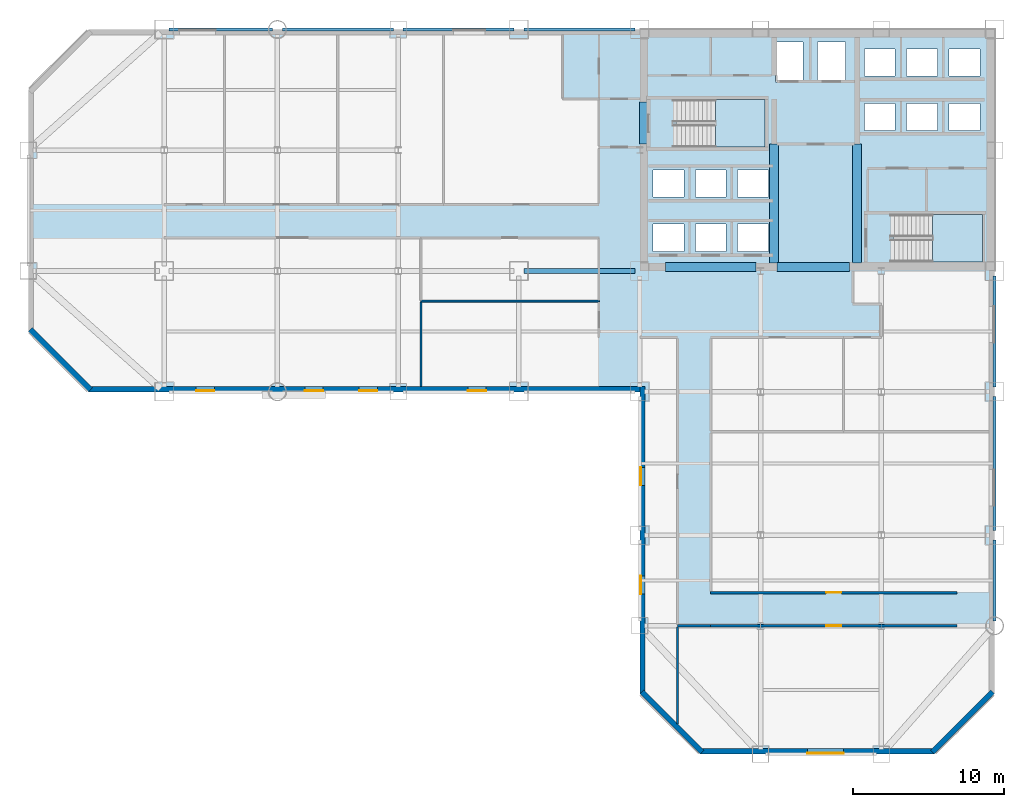
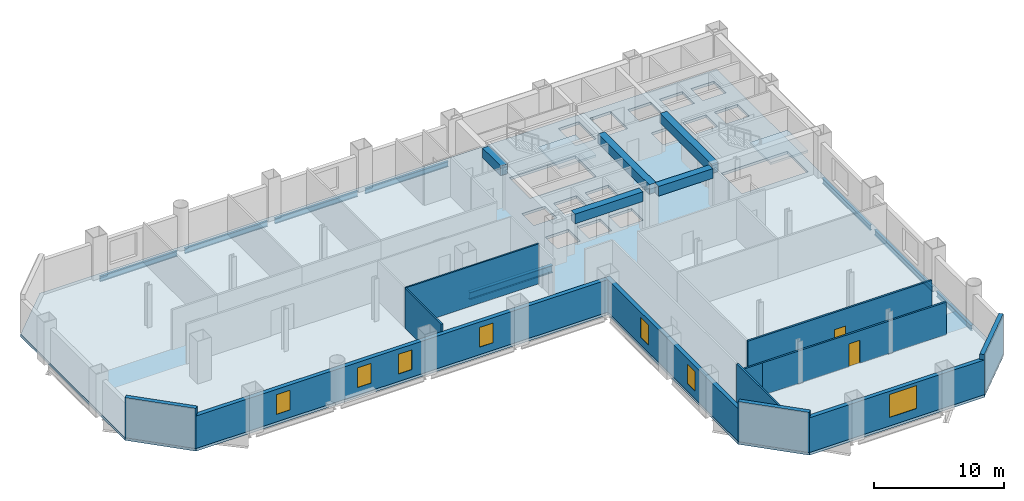
# One storey, part 4 of 9: 13 beams, 12 walls, 7 windows, 3 slabs, 2 doors, 9 openings, 2 elements without a shape of their own.
"""IFC4 building model written with IfcOpenShell, lengths in metres."""

from ifc_helpers import new_model, si_unit, direction, frame, frame_2d, origin, origin_2d, place, context, subcontext, project, spatial, polyline, rectangle, i_section, outline, extrude, material, layer, layer_set, material_profile, profile_set, type_object, element, fill, aggregate, save


model = new_model("IFC4")

# Units and contexts
model_context = context("Model", 3, precision=1e-05, world=origin(), true_north=direction((0.0, 1.0)))
body_context = subcontext(model_context, "Body", "Model", "MODEL_VIEW")
ifc_project = project(units=[si_unit("LENGTHUNIT", "METRE"), si_unit("AREAUNIT", "SQUARE_METRE"), si_unit("VOLUMEUNIT", "CUBIC_METRE"), si_unit("PLANEANGLEUNIT", "RADIAN"), si_unit("MASSUNIT", "GRAM", prefix="KILO")], contexts=[model_context])

# Site, building, storey
site_placement = place(None, origin())
site = spatial("IfcSite", under=ifc_project, at=site_placement, CompositionType="ELEMENT")
building_placement = place(site_placement, origin())
building = spatial("IfcBuilding", under=site, at=building_placement, Name="Qianrong Seaharbour Tower", CompositionType="ELEMENT")
storey_placement = place(building_placement, frame((0.0, 0.0, 84.199951171875)))
storey = spatial("IfcBuildingStorey", under=building, at=storey_placement, Name="L20", CompositionType="ELEMENT", Elevation=84.199951171875)

# Beams
ifc_material_1 = material(Name="Structural steel SN490B", Category="steel")
ifc_material_profile_1 = material_profile(ifc_material_1, i_section(OverallWidth=0.300048828125, OverallDepth=0.699951171875, WebThickness=0.012939453125, FlangeThickness=0.02392578125, FilletRadius=0.02587890625, at=origin_2d()), Name="H700x300x13x24")
ifc_profile_set_1 = profile_set([ifc_material_profile_1], Name="Structural steel SN490B")
beam_type_1 = type_object("IfcBeamType", Name="BM-G-700", PredefinedType="BEAM", material=ifc_profile_set_1)
beam_1_placement = place(storey_placement, frame((32.820068359375, 36.0, -0.599853515625), z_axis=(1.0, 0.0, 0.0), x_axis=(0.0, 1.0, 0.0)))
element("IfcBeam", 1, at=beam_1_placement, inside=storey, type_object=beam_type_1, Name="L20 Primary Girder GF G5-G6", PredefinedType="BEAM", context=body_context, shape_type="SweptSolid", body=[
    extrude(i_section(OverallWidth=0.300048828125, OverallDepth=0.699951171875, WebThickness=0.012939453125, FlangeThickness=0.02392578125, FilletRadius=0.02587890625, at=origin_2d()), origin(), (0.0, 0.0, 1.0), 7.35986328125),
])
ifc_material_2 = material(Name="Concrete C70/85", Category="concrete")
ifc_material_profile_2 = material_profile(ifc_material_2, rectangle(XDim=0.60009765625, YDim=0.89990234375, at=origin_2d()), Name="RC600x900")
ifc_profile_set_2 = profile_set([ifc_material_profile_2], Name="Concrete C70/85")
beam_type_2 = type_object("IfcBeamType", Name="BM-LINTEL-900", PredefinedType="LINTEL", material=ifc_profile_set_2)
beam_2_placement = place(storey_placement, frame((40.77001953125, 44.39990234375, 3.300048828125), z_axis=(0.0, 1.0, 0.0), x_axis=(-1.0, 0.0, 0.0)))
element("IfcBeam", 2, at=beam_2_placement, inside=storey, type_object=beam_type_2, Name="L20 Core Coupling Lintel Beam West", PredefinedType="LINTEL", context=body_context, shape_type="SweptSolid", body=[
    extrude(rectangle(XDim=0.60009765625, YDim=0.89990234375, at=origin_2d()), origin(), (0.0, 0.0, 1.0), 2.800048828125),
])
beam_3_placement = place(storey_placement, frame((42.199951171875, 36.27001953125, 3.300048828125), z_axis=(1.0, 0.0, 0.0), x_axis=(0.0, 1.0, 0.0)))
element("IfcBeam", 3, at=beam_3_placement, inside=storey, type_object=beam_type_2, Name="L20 Core Coupling Lintel Beam CBW", PredefinedType="LINTEL", context=body_context, shape_type="SweptSolid", body=[
    extrude(rectangle(XDim=0.60009765625, YDim=0.89990234375, at=origin_2d()), origin(), (0.0, 0.0, 1.0), 6.0),
])
beam_4_placement = place(storey_placement, frame((49.60009765625, 36.27001953125, 3.300048828125), z_axis=(1.0, 0.0, 0.0), x_axis=(0.0, 1.0, 0.0)))
element("IfcBeam", 4, at=beam_4_placement, inside=storey, type_object=beam_type_2, Name="L20 Core Coupling Lintel Beam CBC", PredefinedType="LINTEL", context=body_context, shape_type="SweptSolid", body=[
    extrude(rectangle(XDim=0.60009765625, YDim=0.89990234375, at=origin_2d()), origin(), (0.0, 0.0, 1.0), 4.7998046875),
])
for number, where, z_axis, x_axis, name in (
    (5, (49.39990234375, 36.5400390625, 3.300048828125), (0.0, 1.0, 0.0), (-1.0, 0.0, 0.0), "L20 Internal Core Coupling Beam IW1"),
    (6, (54.89990234375, 36.5400390625, 3.300048828125), (0.0, 1.0, 0.0), (-1.0, 0.0, 0.0), "L20 Internal Core Coupling Beam IW2"),
):
    element("IfcBeam", number, at=place(storey_placement, frame(where, z_axis=z_axis, x_axis=x_axis)), inside=storey, type_object=beam_type_2, Name=name, PredefinedType="LINTEL", context=body_context, shape_type="SweptSolid", body=[
        extrude(rectangle(XDim=0.60009765625, YDim=0.89990234375, at=origin_2d()), origin(), (0.0, 0.0, 1.0), 7.85986328125),
    ])
ifc_material_profile_3 = material_profile(ifc_material_1, i_section(OverallWidth=0.199951171875, OverallDepth=0.5, WebThickness=0.010009765625, FlangeThickness=0.01611328125, FilletRadius=0.02001953125, at=origin_2d()), Name="H500x200x10x16")
ifc_profile_set_3 = profile_set([ifc_material_profile_3], Name="Structural steel SN490B")
beam_type_3 = type_object("IfcBeamType", Name="BM-SP-500", PredefinedType="SPANDREL", material=ifc_profile_set_3)
beam_5_placement = place(storey_placement, frame((9.320068359375, 52.0, -0.5), z_axis=(1.0, 0.0, 0.0), x_axis=(0.0, 1.0, 0.0)))
element("IfcBeam", 7, at=beam_5_placement, inside=storey, type_object=beam_type_3, Name="L20 Spandrel Girder GH G2-G3", PredefinedType="SPANDREL", context=body_context, shape_type="SweptSolid", body=[
    extrude(i_section(OverallWidth=0.199951171875, OverallDepth=0.5, WebThickness=0.010009765625, FlangeThickness=0.01611328125, FilletRadius=0.02001953125, at=origin_2d()), origin(), (0.0, 0.0, 1.0), 6.85986328125),
])
for number, where, z_axis, x_axis, name in (
    (8, (16.820068359375, 52.0, -0.5), (1.0, 0.0, 0.0), (0.0, 1.0, 0.0), "L20 Spandrel Girder GH G3-G4"),
    (9, (24.820068359375, 52.0, -0.5), (1.0, 0.0, 0.0), (0.0, 1.0, 0.0), "L20 Spandrel Girder GH G4-G5"),
    (10, (32.820068359375, 52.0, -0.5), (1.0, 0.0, 0.0), (0.0, 1.0, 0.0), "L20 Spandrel Girder GH G5-G6"),
):
    element("IfcBeam", number, at=place(storey_placement, frame(where, z_axis=z_axis, x_axis=x_axis)), inside=storey, type_object=beam_type_3, Name=name, PredefinedType="SPANDREL", context=body_context, shape_type="SweptSolid", body=[
        extrude(i_section(OverallWidth=0.199951171875, OverallDepth=0.5, WebThickness=0.010009765625, FlangeThickness=0.01611328125, FilletRadius=0.02001953125, at=origin_2d()), origin(), (0.0, 0.0, 1.0), 7.35986328125),
    ])
beam_6_placement = place(storey_placement, frame((64.0, 12.820068359375, -0.5), z_axis=(0.0, 1.0, 0.0), x_axis=(-1.0, 0.0, 0.0)))
element("IfcBeam", 11, at=beam_6_placement, inside=storey, type_object=beam_type_3, Name="L20 Spandrel Girder G9 GC-GD", PredefinedType="SPANDREL", context=body_context, shape_type="SweptSolid", body=[
    extrude(i_section(OverallWidth=0.199951171875, OverallDepth=0.5, WebThickness=0.010009765625, FlangeThickness=0.01611328125, FilletRadius=0.02001953125, at=origin_2d()), origin(), (0.0, 0.0, 1.0), 5.35986328125),
])
beam_7_placement = place(storey_placement, frame((64.0, 18.820068359375, -0.5), z_axis=(0.0, 1.0, 0.0), x_axis=(-1.0, 0.0, 0.0)))
element("IfcBeam", 12, at=beam_7_placement, inside=storey, type_object=beam_type_3, Name="L20 Spandrel Girder G9 GD-GE", PredefinedType="SPANDREL", context=body_context, shape_type="SweptSolid", body=[
    extrude(i_section(OverallWidth=0.199951171875, OverallDepth=0.5, WebThickness=0.010009765625, FlangeThickness=0.01611328125, FilletRadius=0.02001953125, at=origin_2d()), origin(), (0.0, 0.0, 1.0), 8.85986328125),
])
beam_8_placement = place(storey_placement, frame((64.0, 28.320068359375, -0.5), z_axis=(0.0, 1.0, 0.0), x_axis=(-1.0, 0.0, 0.0)))
element("IfcBeam", 13, at=beam_8_placement, inside=storey, type_object=beam_type_3, Name="L20 Spandrel Girder G9 GE-GF", PredefinedType="SPANDREL", context=body_context, shape_type="SweptSolid", body=[
    extrude(i_section(OverallWidth=0.199951171875, OverallDepth=0.5, WebThickness=0.010009765625, FlangeThickness=0.01611328125, FilletRadius=0.02001953125, at=origin_2d()), origin(), (0.0, 0.0, 1.0), 7.35986328125),
])

# Stair, slab
ifc_material_3 = material(Name="Concrete C50/60", Category="concrete")
stair_type = type_object("IfcStairType", Name="STAIR-DOGLEG-1500-R22", PredefinedType="HALF_TURN_STAIR", material=ifc_material_3)
stair_1_placement = place(storey_placement, origin())
stair_1 = element("IfcStair", 14, at=stair_1_placement, inside=storey, type_object=stair_type, Name="L20 Protected Escape Stair ST-1", PredefinedType="HALF_TURN_STAIR")
ifc_layer_1 = layer(ifc_material_3, 0.199951171875)
ifc_layer_set_1 = layer_set([ifc_layer_1], Name="Concrete C50/60")
slab_type_1 = type_object("IfcSlabType", Name="SLAB-STAIR-LANDING-200", PredefinedType="LANDING", material=ifc_layer_set_1)
slab_1_placement = place(storey_placement, frame((0.0, 0.0, 1.800048828125)))
slab_1 = element("IfcSlab", 15, at=slab_1_placement, type_object=slab_type_1, Name="ST-1 landing 1", PredefinedType="LANDING", context=body_context, shape_type="SweptSolid", body=[
    extrude(outline(polyline([(45.5, 44.199951171875), (48.800048828125, 44.199951171875), (48.800048828125, 47.35009765625), (45.5, 47.35009765625), (45.5, 44.199951171875)])), origin(), (0.0, 0.0, 1.0), 0.199951171875),
])
aggregate(stair_1, [slab_1])

stair_2_placement = place(storey_placement, origin())
stair_2 = element("IfcStair", 16, at=stair_2_placement, inside=storey, type_object=stair_type, Name="L20 Protected Escape Stair ST-2", PredefinedType="HALF_TURN_STAIR")
slab_2_placement = place(storey_placement, frame((0.0, 0.0, 1.800048828125)))
slab_2 = element("IfcSlab", 17, at=slab_2_placement, type_object=slab_type_1, Name="ST-2 landing 1", PredefinedType="LANDING", context=body_context, shape_type="SweptSolid", body=[
    extrude(outline(polyline([(59.89990234375, 36.60009765625), (63.199951171875, 36.60009765625), (63.199951171875, 39.75), (59.89990234375, 39.75), (59.89990234375, 36.60009765625)])), origin(), (0.0, 0.0, 1.0), 0.199951171875),
])
aggregate(stair_2, [slab_2])

# Slab
ifc_layer_2 = layer(ifc_material_3, 0.25)
ifc_layer_set_2 = layer_set([ifc_layer_2], Name="Concrete C50/60")
slab_type_2 = type_object("IfcSlabType", Name="SLAB-Z1-250", PredefinedType="FLOOR", material=ifc_layer_set_2)
slab_3_placement = place(storey_placement, frame((0.0, 0.0, -0.25)))
element("IfcSlab", 18, at=slab_3_placement, inside=storey, type_object=slab_type_2, Name="L20 Structural Floor Slab", PredefinedType="FLOOR", context=body_context, shape_type="SweptSolid", body=[
    extrude(outline(polyline([(44.5, 4.0), (60.0, 4.0), (64.0, 8.0), (64.0, 52.0), (4.0, 52.0), (0.0, 48.0), (0.0, 32.0), (4.0, 28.0), (40.5, 28.0), (40.5, 8.0), (44.5, 4.0)]), holes=[polyline([(42.93994140625, 44.199951171875), (42.93994140625, 47.35009765625), (48.800048828125, 47.35009765625), (48.800048828125, 44.199951171875), (42.93994140625, 44.199951171875)]), polyline([(57.340087890625, 36.60009765625), (57.340087890625, 39.75), (63.199951171875, 39.75), (63.199951171875, 36.60009765625), (57.340087890625, 36.60009765625)]), polyline([(49.47998046875, 48.530029296875), (49.47998046875, 51.169921875), (51.320068359375, 51.169921875), (51.320068359375, 48.530029296875), (49.47998046875, 48.530029296875)]), polyline([(52.280029296875, 48.530029296875), (52.280029296875, 51.169921875), (54.1201171875, 51.169921875), (54.1201171875, 48.530029296875), (52.280029296875, 48.530029296875)]), polyline([(41.3798828125, 37.300048828125), (41.3798828125, 39.10009765625), (43.419921875, 39.10009765625), (43.419921875, 37.300048828125), (41.3798828125, 37.300048828125)]), polyline([(44.179931640625, 37.300048828125), (44.179931640625, 39.10009765625), (46.219970703125, 39.10009765625), (46.219970703125, 37.300048828125), (44.179931640625, 37.300048828125)]), polyline([(46.97998046875, 37.300048828125), (46.97998046875, 39.10009765625), (49.02001953125, 39.10009765625), (49.02001953125, 37.300048828125), (46.97998046875, 37.300048828125)]), polyline([(41.3798828125, 40.89990234375), (41.3798828125, 42.699951171875), (43.419921875, 42.699951171875), (43.419921875, 40.89990234375), (41.3798828125, 40.89990234375)]), polyline([(44.179931640625, 40.89990234375), (44.179931640625, 42.699951171875), (46.219970703125, 42.699951171875), (46.219970703125, 40.89990234375), (44.179931640625, 40.89990234375)]), polyline([(46.97998046875, 40.89990234375), (46.97998046875, 42.699951171875), (49.02001953125, 42.699951171875), (49.02001953125, 40.89990234375), (46.97998046875, 40.89990234375)]), polyline([(55.3798828125, 45.300048828125), (55.3798828125, 47.10009765625), (57.419921875, 47.10009765625), (57.419921875, 45.300048828125), (55.3798828125, 45.300048828125)]), polyline([(58.179931640625, 45.300048828125), (58.179931640625, 47.10009765625), (60.219970703125, 47.10009765625), (60.219970703125, 45.300048828125), (58.179931640625, 45.300048828125)]), polyline([(60.97998046875, 45.300048828125), (60.97998046875, 47.10009765625), (63.02001953125, 47.10009765625), (63.02001953125, 45.300048828125), (60.97998046875, 45.300048828125)]), polyline([(55.3798828125, 48.89990234375), (55.3798828125, 50.699951171875), (57.419921875, 50.699951171875), (57.419921875, 48.89990234375), (55.3798828125, 48.89990234375)]), polyline([(58.179931640625, 48.89990234375), (58.179931640625, 50.699951171875), (60.219970703125, 50.699951171875), (60.219970703125, 48.89990234375), (58.179931640625, 48.89990234375)]), polyline([(60.97998046875, 48.89990234375), (60.97998046875, 50.699951171875), (63.02001953125, 50.699951171875), (63.02001953125, 48.89990234375), (60.97998046875, 48.89990234375)])]), origin(), (0.0, 0.0, 1.0), 0.25),
])

# Wall
ifc_material_4 = material(Name="Fire-rated acoustic gypsum board partition")
ifc_layer_3 = layer(ifc_material_4, 0.1650390625)
ifc_layer_set_3 = layer_set([ifc_layer_3], Name="Fire-rated acoustic gypsum board partition")
wall_type_1 = type_object("IfcWallType", Name="WALL-CORR-PART-165", PredefinedType="PARTITIONING", material=ifc_layer_set_3)
wall_1_placement = place(storey_placement, frame((45.199951171875, 12.5, 0.0), z_axis=(0.0, 0.0, 1.0), x_axis=(-1.0, 0.0, 0.0)))
element("IfcWall", 19, at=wall_1_placement, inside=storey, type_object=wall_type_1, Name="L20 Interior Partition Wall 030", PredefinedType="PARTITIONING", context=body_context, shape_type="SweptSolid", body=[
    extrude(rectangle(XDim=2.199951171875, YDim=0.1650390625, at=frame_2d((1.10009765625, 0.0))), origin(), (0.0, 0.0, 1.0), 3.0419921875),
])

# Wall, opening, door
wall_2_placement = place(storey_placement, frame((61.5, 12.5, 0.0), z_axis=(0.0, 0.0, 1.0), x_axis=(-1.0, 0.0, 0.0)))
wall_2 = element("IfcWall", 20, at=wall_2_placement, inside=storey, type_object=wall_type_1, Name="L20 Interior Partition Wall 034", PredefinedType="PARTITIONING", context=body_context, shape_type="SweptSolid", body=[
    extrude(rectangle(XDim=16.300048828125, YDim=0.1650390625, at=frame_2d((8.14990234375, 0.0))), origin(), (0.0, 0.0, 1.0), 3.0419921875),
])
opening_1_placement = place(wall_2_placement, frame((7.64990234375, 0.0, 0.0)))
opening_1 = element("IfcOpeningElement", 21, at=opening_1_placement, cuts=wall_2, Name="Opening DO-01", PredefinedType="OPENING", context=body_context, shape_type="SweptSolid", body=[
    extrude(rectangle(XDim=1.0, YDim=2.14990234375, at=frame_2d((0.5, 1.074951171875))), frame((0.0, 0.092529296875, 0.0), z_axis=(0.0, -1.0, 0.0), x_axis=(1.0, 0.0, 0.0)), (0.0, 0.0, 1.0), 0.18505859375),
])
ifc_material_5 = material(Name="Acoustic timber and galvanized steel fire door assembly", Category="steel")
door_type = type_object("IfcDoorType", Name="DOOR-OFFICE-1000x2150", OperationType="NOTDEFINED", PredefinedType="DOOR", material=ifc_material_5)
door_1_placement = place(opening_1_placement, origin())
door_1 = element("IfcDoor", 22, at=door_1_placement, inside=storey, type_object=door_type, Name="L20 South Tip Open-Plan Office Door", OperationType="SINGLE_SWING_RIGHT", OverallHeight=2.14990234375, OverallWidth=1.0, PredefinedType="DOOR", context=body_context, shape_type="SweptSolid", body=[
    extrude(rectangle(XDim=1.0, YDim=2.14990234375, at=frame_2d((0.5, 1.074951171875))), frame((0.0, 0.02490234375, 0.0), z_axis=(0.0, -1.0, 0.0), x_axis=(1.0, 0.0, 0.0)), (0.0, 0.0, 1.0), 0.050048828125),
])
fill(opening_1, door_1)

wall_3_placement = place(storey_placement, frame((45.199951171875, 14.699951171875, 0.0), z_axis=(0.0, 0.0, 1.0), x_axis=(1.0, 0.0, 0.0)))
wall_3 = element("IfcWall", 23, at=wall_3_placement, inside=storey, type_object=wall_type_1, Name="L20 Interior Partition Wall 035", PredefinedType="PARTITIONING", context=body_context, shape_type="SweptSolid", body=[
    extrude(rectangle(XDim=16.300048828125, YDim=0.1650390625, at=frame_2d((8.14990234375, 0.0))), origin(), (0.0, 0.0, 1.0), 3.75),
])
opening_2_placement = place(wall_3_placement, frame((7.64990234375, 0.0, 0.0)))
opening_2 = element("IfcOpeningElement", 24, at=opening_2_placement, cuts=wall_3, Name="Opening DO-01", PredefinedType="OPENING", context=body_context, shape_type="SweptSolid", body=[
    extrude(rectangle(XDim=1.0, YDim=2.14990234375, at=frame_2d((0.5, 1.074951171875))), frame((0.0, 0.092529296875, 0.0), z_axis=(0.0, -1.0, 0.0), x_axis=(1.0, 0.0, 0.0)), (0.0, 0.0, 1.0), 0.18505859375),
])
door_2_placement = place(opening_2_placement, origin())
door_2 = element("IfcDoor", 25, at=door_2_placement, inside=storey, type_object=door_type, Name="L20 Operations Open-Plan Office Door", OperationType="SINGLE_SWING_LEFT", OverallHeight=2.14990234375, OverallWidth=1.0, PredefinedType="DOOR", context=body_context, shape_type="SweptSolid", body=[
    extrude(rectangle(XDim=1.0, YDim=2.14990234375, at=frame_2d((0.5, 1.074951171875))), frame((0.0, 0.02490234375, 0.0), z_axis=(0.0, -1.0, 0.0), x_axis=(1.0, 0.0, 0.0)), (0.0, 0.0, 1.0), 0.050048828125),
])
fill(opening_2, door_2)

# Wall, openings, windows
ifc_material_6 = material(Name="Unitised red brick on Precast concrete C45/55", Category="masonry")
ifc_layer_4 = layer(ifc_material_6, 0.360107421875)
ifc_layer_set_4 = layer_set([ifc_layer_4], Name="Unitised red brick on Precast concrete C45/55")
wall_type_2 = type_object("IfcWallType", Name="WALL-EXT-BRICK-RED-360", PredefinedType="SOLIDWALL", material=ifc_layer_set_4)
wall_4_placement = place(storey_placement, frame((40.679931640625, 8.0, 0.0), z_axis=(0.0, 0.0, 1.0), x_axis=(0.0, 1.0, 0.0)))
wall_4 = element("IfcWall", 26, at=wall_4_placement, inside=storey, type_object=wall_type_2, Name="L20 Exterior Masonry Facade Wall REENTRANT_WEST", PredefinedType="SOLIDWALL", context=body_context, shape_type="SweptSolid", body=[
    extrude(rectangle(XDim=20.360107421875, YDim=0.360107421875, at=frame_2d((10.18017578125, 0.0))), origin(), (0.0, 0.0, 1.0), 3.050048828125),
])
opening_3_placement = place(wall_4_placement, frame((6.60009765625, 0.0, 0.699951171875)))
opening_3 = element("IfcOpeningElement", 27, at=opening_3_placement, cuts=wall_4, Name="Opening WN-01", PredefinedType="OPENING", context=body_context, shape_type="SweptSolid", body=[
    extrude(rectangle(XDim=1.199951171875, YDim=1.85009765625, at=frame_2d((0.60009765625, 0.925048828125))), frame((0.0, 0.18994140625, 0.0), z_axis=(0.0, -1.0, 0.0), x_axis=(1.0, 0.0, 0.0)), (0.0, 0.0, 1.0), 0.380126953125),
])
opening_4_placement = place(wall_4_placement, frame((13.800048828125, 0.0, 0.699951171875)))
opening_4 = element("IfcOpeningElement", 28, at=opening_4_placement, cuts=wall_4, Name="Opening WN-01", PredefinedType="OPENING", context=body_context, shape_type="SweptSolid", body=[
    extrude(rectangle(XDim=1.199951171875, YDim=1.85009765625, at=frame_2d((0.60009765625, 0.925048828125))), frame((0.0, 0.18994140625, 0.0), z_axis=(0.0, -1.0, 0.0), x_axis=(1.0, 0.0, 0.0)), (0.0, 0.0, 1.0), 0.380126953125),
])
ifc_material_7 = material(Name="Insulated low-e double glazing in thermally broken aluminium 6063-T6 frame", Category="aluminium")
window_type_1 = type_object("IfcWindowType", Name="WIN-PUNCH-1200x1850", PartitioningType="DOUBLE_PANEL_VERTICAL", PredefinedType="WINDOW", material=ifc_material_7)
window_1_placement = place(opening_3_placement, origin())
window_1 = element("IfcWindow", 29, at=window_1_placement, inside=storey, type_object=window_type_1, Name="L20 Deep-Set Punched Window 00.02", OverallHeight=1.85009765625, OverallWidth=1.199951171875, PartitioningType="DOUBLE_PANEL_VERTICAL", PredefinedType="WINDOW", context=body_context, shape_type="SweptSolid", body=[
    extrude(rectangle(XDim=1.199951171875, YDim=1.85009765625, at=frame_2d((0.60009765625, 0.925048828125))), frame((0.0, 0.150146484375, 0.0), z_axis=(0.0, -1.0, 0.0), x_axis=(1.0, 0.0, 0.0)), (0.0, 0.0, 1.0), 0.06005859375),
])
fill(opening_3, window_1)
window_2_placement = place(opening_4_placement, origin())
window_2 = element("IfcWindow", 30, at=window_2_placement, inside=storey, type_object=window_type_1, Name="L20 Deep-Set Punched Window 00.04", OverallHeight=1.85009765625, OverallWidth=1.199951171875, PartitioningType="DOUBLE_PANEL_VERTICAL", PredefinedType="WINDOW", context=body_context, shape_type="SweptSolid", body=[
    extrude(rectangle(XDim=1.199951171875, YDim=1.85009765625, at=frame_2d((0.60009765625, 0.925048828125))), frame((0.0, 0.150146484375, 0.0), z_axis=(0.0, -1.0, 0.0), x_axis=(1.0, 0.0, 0.0)), (0.0, 0.0, 1.0), 0.06005859375),
])
fill(opening_4, window_2)

wall_5_placement = place(storey_placement, frame((40.52001953125, 28.179931640625, 0.0), z_axis=(0.0, 0.0, 1.0), x_axis=(-1.0, 0.0, 0.0)))
wall_5 = element("IfcWall", 31, at=wall_5_placement, inside=storey, type_object=wall_type_2, Name="L20 Exterior Masonry Facade Wall HARBOUR_RIBBON", PredefinedType="SOLIDWALL", context=body_context, shape_type="SweptSolid", body=[
    extrude(rectangle(XDim=36.52001953125, YDim=0.360107421875, at=frame_2d((18.260009765625, 0.0))), origin(), (0.0, 0.0, 1.0), 3.050048828125),
])
opening_5_placement = place(wall_5_placement, frame((10.199951171875, 0.0, 0.699951171875)))
opening_5 = element("IfcOpeningElement", 32, at=opening_5_placement, cuts=wall_5, Name="Opening WN-01", PredefinedType="OPENING", context=body_context, shape_type="SweptSolid", body=[
    extrude(rectangle(XDim=1.199951171875, YDim=1.85009765625, at=frame_2d((0.60009765625, 0.925048828125))), frame((0.0, 0.18994140625, 0.0), z_axis=(0.0, -1.0, 0.0), x_axis=(1.0, 0.0, 0.0)), (0.0, 0.0, 1.0), 0.380126953125),
])
opening_6_placement = place(wall_5_placement, frame((17.39990234375, 0.0, 0.699951171875)))
opening_6 = element("IfcOpeningElement", 33, at=opening_6_placement, cuts=wall_5, Name="Opening WN-01", PredefinedType="OPENING", context=body_context, shape_type="SweptSolid", body=[
    extrude(rectangle(XDim=1.199951171875, YDim=1.85009765625, at=frame_2d((0.60009765625, 0.925048828125))), frame((0.0, 0.18994140625, 0.0), z_axis=(0.0, -1.0, 0.0), x_axis=(1.0, 0.0, 0.0)), (0.0, 0.0, 1.0), 0.380126953125),
])
opening_7_placement = place(wall_5_placement, frame((21.0, 0.0, 0.699951171875)))
opening_7 = element("IfcOpeningElement", 34, at=opening_7_placement, cuts=wall_5, Name="Opening WN-01", PredefinedType="OPENING", context=body_context, shape_type="SweptSolid", body=[
    extrude(rectangle(XDim=1.199951171875, YDim=1.85009765625, at=frame_2d((0.60009765625, 0.925048828125))), frame((0.0, 0.18994140625, 0.0), z_axis=(0.0, -1.0, 0.0), x_axis=(1.0, 0.0, 0.0)), (0.0, 0.0, 1.0), 0.380126953125),
])
opening_8_placement = place(wall_5_placement, frame((28.199951171875, 0.0, 0.699951171875)))
opening_8 = element("IfcOpeningElement", 35, at=opening_8_placement, cuts=wall_5, Name="Opening WN-01", PredefinedType="OPENING", context=body_context, shape_type="SweptSolid", body=[
    extrude(rectangle(XDim=1.199951171875, YDim=1.85009765625, at=frame_2d((0.60009765625, 0.925048828125))), frame((0.0, 0.18994140625, 0.0), z_axis=(0.0, -1.0, 0.0), x_axis=(1.0, 0.0, 0.0)), (0.0, 0.0, 1.0), 0.380126953125),
])
window_3_placement = place(opening_5_placement, origin())
window_3 = element("IfcWindow", 36, at=window_3_placement, inside=storey, type_object=window_type_1, Name="L20 Deep-Set Punched Window 01.03", OverallHeight=1.85009765625, OverallWidth=1.199951171875, PartitioningType="DOUBLE_PANEL_VERTICAL", PredefinedType="WINDOW", context=body_context, shape_type="SweptSolid", body=[
    extrude(rectangle(XDim=1.199951171875, YDim=1.85009765625, at=frame_2d((0.60009765625, 0.925048828125))), frame((0.0, 0.150146484375, 0.0), z_axis=(0.0, -1.0, 0.0), x_axis=(1.0, 0.0, 0.0)), (0.0, 0.0, 1.0), 0.06005859375),
])
fill(opening_5, window_3)
window_4_placement = place(opening_6_placement, origin())
window_4 = element("IfcWindow", 37, at=window_4_placement, inside=storey, type_object=window_type_1, Name="L20 Deep-Set Punched Window 01.05", OverallHeight=1.85009765625, OverallWidth=1.199951171875, PartitioningType="DOUBLE_PANEL_VERTICAL", PredefinedType="WINDOW", context=body_context, shape_type="SweptSolid", body=[
    extrude(rectangle(XDim=1.199951171875, YDim=1.85009765625, at=frame_2d((0.60009765625, 0.925048828125))), frame((0.0, 0.150146484375, 0.0), z_axis=(0.0, -1.0, 0.0), x_axis=(1.0, 0.0, 0.0)), (0.0, 0.0, 1.0), 0.06005859375),
])
fill(opening_6, window_4)
window_5_placement = place(opening_7_placement, origin())
window_5 = element("IfcWindow", 38, at=window_5_placement, inside=storey, type_object=window_type_1, Name="L20 Deep-Set Punched Window 01.06", OverallHeight=1.85009765625, OverallWidth=1.199951171875, PartitioningType="DOUBLE_PANEL_VERTICAL", PredefinedType="WINDOW", context=body_context, shape_type="SweptSolid", body=[
    extrude(rectangle(XDim=1.199951171875, YDim=1.85009765625, at=frame_2d((0.60009765625, 0.925048828125))), frame((0.0, 0.150146484375, 0.0), z_axis=(0.0, -1.0, 0.0), x_axis=(1.0, 0.0, 0.0)), (0.0, 0.0, 1.0), 0.06005859375),
])
fill(opening_7, window_5)
window_6_placement = place(opening_8_placement, origin())
window_6 = element("IfcWindow", 39, at=window_6_placement, inside=storey, type_object=window_type_1, Name="L20 Deep-Set Punched Window 01.08", OverallHeight=1.85009765625, OverallWidth=1.199951171875, PartitioningType="DOUBLE_PANEL_VERTICAL", PredefinedType="WINDOW", context=body_context, shape_type="SweptSolid", body=[
    extrude(rectangle(XDim=1.199951171875, YDim=1.85009765625, at=frame_2d((0.60009765625, 0.925048828125))), frame((0.0, 0.150146484375, 0.0), z_axis=(0.0, -1.0, 0.0), x_axis=(1.0, 0.0, 0.0)), (0.0, 0.0, 1.0), 0.06005859375),
])
fill(opening_8, window_6)

# Walls
for number, where, z_axis, x_axis, name in (
    (40, (4.127197265625, 28.127197265625, 0.0), (0.0, 0.0, 1.0), (-0.707106781187, 0.707106781187, 0.0), "L20 Exterior Masonry Facade Wall E02"),
    (41, (63.872802734375, 8.127197265625, 0.0), (0.0, 0.0, 1.0), (-0.707106781187, -0.707106781187, 0.0), "L20 Exterior Masonry Facade Wall E07"),
):
    element("IfcWall", number, at=place(storey_placement, frame(where, z_axis=z_axis, x_axis=x_axis)), inside=storey, type_object=wall_type_2, Name=name, PredefinedType="SOLIDWALL", context=body_context, shape_type="SweptSolid", body=[
        extrude(rectangle(XDim=5.65673828125, YDim=0.360107421875, at=frame_2d((2.828369140625, 0.0))), origin(), (0.0, 0.0, 1.0), 3.75),
    ])

# Wall, opening, window
wall_6_placement = place(storey_placement, frame((60.0, 4.179931640625, 0.0), z_axis=(0.0, 0.0, 1.0), x_axis=(-1.0, 0.0, 0.0)))
wall_6 = element("IfcWall", 42, at=wall_6_placement, inside=storey, type_object=wall_type_2, Name="L20 Exterior Masonry Facade Wall SOUTH_TIP", PredefinedType="SOLIDWALL", context=body_context, shape_type="SweptSolid", body=[
    extrude(rectangle(XDim=15.5, YDim=0.360107421875, at=frame_2d((7.75, 0.0))), origin(), (0.0, 0.0, 1.0), 3.25),
])
opening_9_placement = place(wall_6_placement, frame((6.0, 0.0, 0.800048828125)))
opening_9 = element("IfcOpeningElement", 43, at=opening_9_placement, cuts=wall_6, Name="Opening WN-07", PredefinedType="OPENING", context=body_context, shape_type="SweptSolid", body=[
    extrude(rectangle(XDim=2.39990234375, YDim=2.14990234375, at=frame_2d((1.199951171875, 1.074951171875))), frame((0.0, 0.18994140625, 0.0), z_axis=(0.0, -1.0, 0.0), x_axis=(1.0, 0.0, 0.0)), (0.0, 0.0, 1.0), 0.380126953125),
])
window_type_2 = type_object("IfcWindowType", Name="WIN-PUNCH-2400x2150", PartitioningType="TRIPLE_PANEL_VERTICAL", PredefinedType="WINDOW", material=ifc_material_7)
window_7_placement = place(opening_9_placement, origin())
window_7 = element("IfcWindow", 44, at=window_7_placement, inside=storey, type_object=window_type_2, Name="L20 Deep-Set Punched Window 08.02", OverallHeight=2.14990234375, OverallWidth=2.39990234375, PartitioningType="TRIPLE_PANEL_VERTICAL", PredefinedType="WINDOW", context=body_context, shape_type="SweptSolid", body=[
    extrude(rectangle(XDim=2.39990234375, YDim=2.14990234375, at=frame_2d((1.199951171875, 1.074951171875))), frame((0.0, 0.150146484375, 0.0), z_axis=(0.0, -1.0, 0.0), x_axis=(1.0, 0.0, 0.0)), (0.0, 0.0, 1.0), 0.06005859375),
])
fill(opening_9, window_7)

# Walls
wall_7_placement = place(storey_placement, frame((44.627197265625, 4.127197265625, 0.0), z_axis=(0.0, 0.0, 1.0), x_axis=(-0.707106781187, 0.707106781187, 0.0)))
element("IfcWall", 45, at=wall_7_placement, inside=storey, type_object=wall_type_2, Name="L20 Exterior Masonry Facade Wall E09", PredefinedType="SOLIDWALL", context=body_context, shape_type="SweptSolid", body=[
    extrude(rectangle(XDim=5.65673828125, YDim=0.360107421875, at=frame_2d((2.828369140625, 0.0))), origin(), (0.0, 0.0, 1.0), 3.75),
])
ifc_material_8 = material(Name="Acoustic gypsum board stud partition")
ifc_layer_5 = layer(ifc_material_8, 0.14501953125)
ifc_layer_set_5 = layer_set([ifc_layer_5], Name="Acoustic gypsum board stud partition")
wall_type_3 = type_object("IfcWallType", Name="WALL-OFFICE-PART-145", PredefinedType="PARTITIONING", material=ifc_layer_set_5)
wall_8_placement = place(storey_placement, frame((43.0, 5.997802734375, 0.0), z_axis=(0.0, 0.0, 1.0), x_axis=(0.0, 1.0, 0.0)))
element("IfcWall", 46, at=wall_8_placement, inside=storey, type_object=wall_type_3, Name="L20 Interior Partition Wall 036", PredefinedType="PARTITIONING", context=body_context, shape_type="SweptSolid", body=[
    extrude(rectangle(XDim=6.427734375, YDim=0.14501953125, at=frame_2d((3.2138671875, 0.0))), origin(), (0.0, 0.0, 1.0), 3.75),
])
wall_9_placement = place(storey_placement, frame((26.0, 33.943115234375, 0.0), z_axis=(0.0, 0.0, 1.0), x_axis=(0.0, -1.0, 0.0)))
element("IfcWall", 47, at=wall_9_placement, inside=storey, type_object=wall_type_3, Name="L20 Interior Partition Wall 043", PredefinedType="PARTITIONING", context=body_context, shape_type="SweptSolid", body=[
    extrude(rectangle(XDim=5.591064453125, YDim=0.14501953125, at=frame_2d((2.79541015625, 0.0))), origin(), (0.0, 0.0, 1.0), 3.75),
])
ifc_material_9 = material(Name="Water-resistant cement board sanitary partition")
ifc_layer_6 = layer(ifc_material_9, 0.1298828125)
ifc_layer_set_6 = layer_set([ifc_layer_6], Name="Water-resistant cement board sanitary partition")
wall_type_4 = type_object("IfcWallType", Name="WALL-WET-PART-130", PredefinedType="PARTITIONING", material=ifc_layer_set_6)
wall_10_placement = place(storey_placement, frame((26.0, 34.0, 0.0), z_axis=(0.0, 0.0, 1.0), x_axis=(1.0, 0.0, 0.0)))
element("IfcWall", 48, at=wall_10_placement, inside=storey, type_object=wall_type_4, Name="L20 Interior Partition Wall 045", PredefinedType="PARTITIONING", context=body_context, shape_type="SweptSolid", body=[
    extrude(rectangle(XDim=11.800048828125, YDim=0.1298828125, at=frame_2d((5.89990234375, 0.0))), origin(), (0.0, 0.0, 1.0), 3.75),
])

save(model, "model.ifc")
